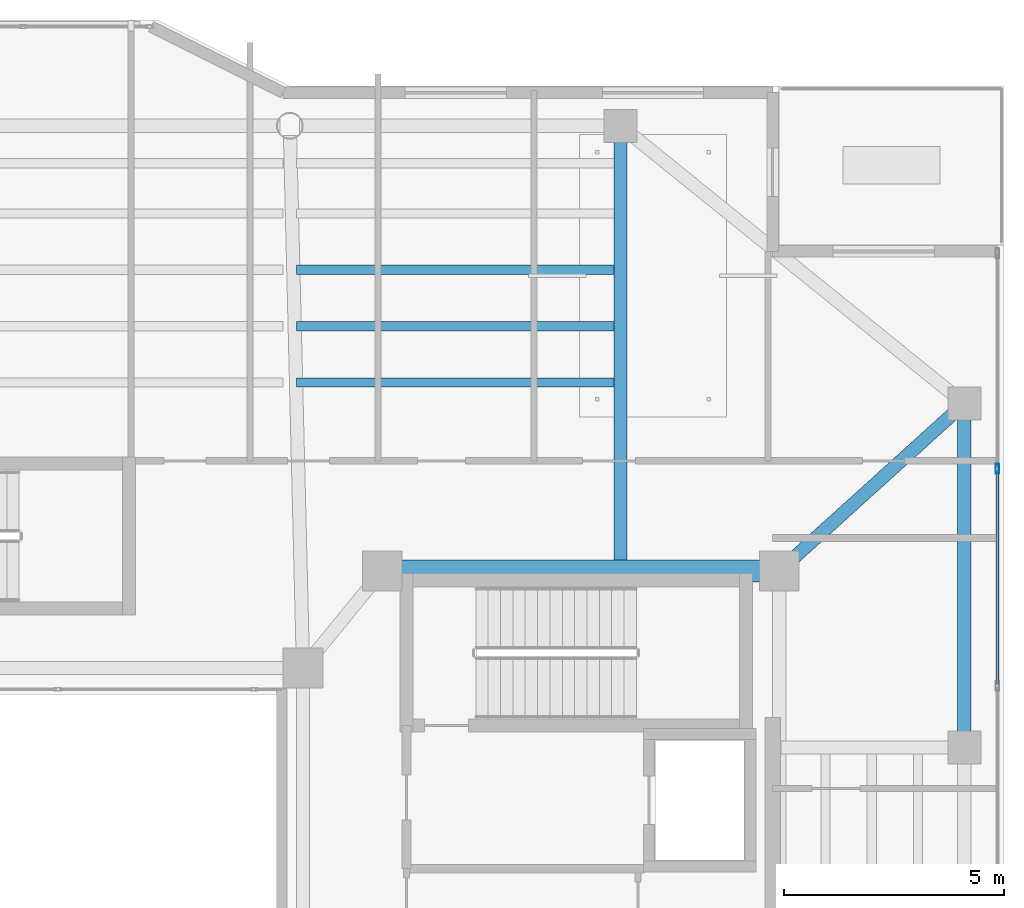
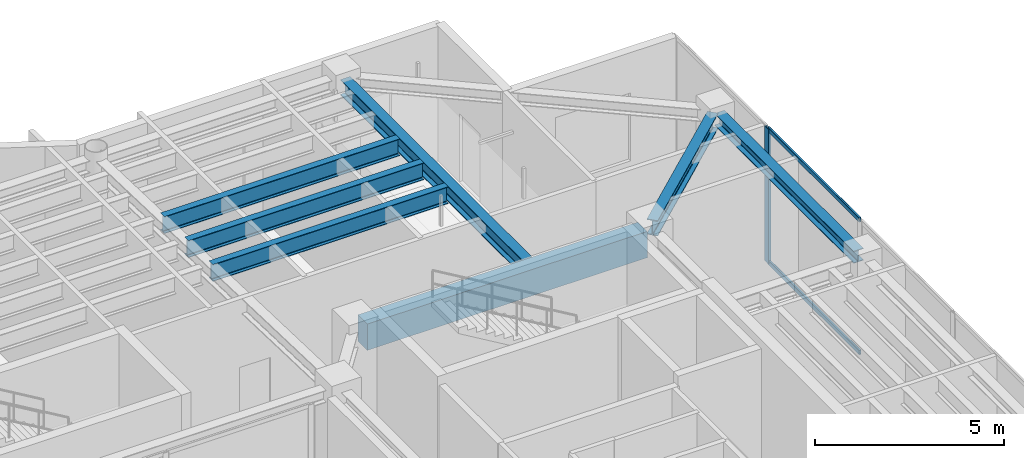
# One storey, part 20 of 34: 7 beams, 3 members, 1 element without a shape of its own.
"""IFC4 building model written with IfcOpenShell, lengths in metres."""

import ifcopenshell
import ifcopenshell.guid

model = None  # the IFC model being written
_history = None  # IfcOwnerHistory: only IFC2X3 demands one
_inside = {}  # id of a spatial element -> (the spatial element, [elements in it])
_under = {}  # id of a project, library or spatial element -> (it, [spatial elements below it])
_declared = {}  # id of a project -> (the project, [libraries it declares])
_typed = {}  # id of a type object -> (the type object, [elements of that type])
_made_of = {}  # id of a material, layer set ... -> (it, [elements and type objects made of it])


def new_model(schema):
    """Start an empty IFC model of exactly this schema.

    Asked for "IFC4X3", IfcOpenShell would pick the latest addendum, in which some entities
    have other attributes; the version numbers below select the first issue.
    IFC2X3 requires an IfcOwnerHistory on every rooted entity: one is made here for all.
    """
    global model, _history
    if schema == "IFC4X3":
        model = ifcopenshell.file(schema_version=(4, 3, 0, 0))
    else:
        model = ifcopenshell.file(schema=schema)
    _inside.clear()
    _under.clear()
    _declared.clear()
    _typed.clear()
    _made_of.clear()
    _history = None
    if model.schema == "IFC2X3":
        org = make("IfcOrganization", Name="unknown")
        user = make(
            "IfcPersonAndOrganization",
            ThePerson=make("IfcPerson", FamilyName="unknown"),
            TheOrganization=org,
        )
        app = make(
            "IfcApplication",
            ApplicationDeveloper=org,
            Version="unknown",
            ApplicationFullName="unknown",
            ApplicationIdentifier="unknown",
        )
        _history = make(
            "IfcOwnerHistory",
            OwningUser=user,
            OwningApplication=app,
            ChangeAction="ADDED",
            CreationDate=0,
        )
    return model


def make(cls, **values):
    """One entity of the class cls with the attributes given. An attribute that is None is left unset."""
    return model.create_entity(
        cls, **{name: value for name, value in values.items() if value is not None}
    )


def rooted(cls, **values):
    """An entity with a GlobalId (a new one), such as an element, a storey or a relation."""
    return make(cls, GlobalId=ifcopenshell.guid.new(), OwnerHistory=_history, **values)


def si_unit(unit_type, name, prefix=None):
    """IfcSIUnit, for example si_unit("LENGTHUNIT", "METRE", prefix="MILLI")."""
    return make("IfcSIUnit", UnitType=unit_type, Prefix=prefix, Name=name)


def assignment(units):
    """IfcUnitAssignment: the units of a project."""
    return None if units is None else make("IfcUnitAssignment", Units=units)


def point(xyz):
    """IfcCartesianPoint."""
    return None if xyz is None else make("IfcCartesianPoint", Coordinates=xyz)


def direction(xyz):
    """IfcDirection."""
    return None if xyz is None else make("IfcDirection", DirectionRatios=xyz)


def frame(location, z_axis=None, x_axis=None):
    """IfcAxis2Placement3D, a coordinate frame: its origin and axes. An axis left out is left unset."""
    return make(
        "IfcAxis2Placement3D",
        Location=point(location),
        Axis=direction(z_axis),
        RefDirection=direction(x_axis),
    )


def frame_2d(location, x_axis=None):
    """IfcAxis2Placement2D, a coordinate frame in the plane: its origin and x axis."""
    return make(
        "IfcAxis2Placement2D", Location=point(location), RefDirection=direction(x_axis)
    )


def origin():
    """The frame at (0, 0, 0) with its axes left unset."""
    return frame((0.0, 0.0, 0.0))


def origin_2d():
    """The frame at (0, 0) in the plane with its x axis left unset."""
    return frame_2d((0.0, 0.0))


def place(relative_to, where):
    """IfcLocalPlacement: puts the frame where relative to a parent placement (None: the world)."""
    return make(
        "IfcLocalPlacement", PlacementRelTo=relative_to, RelativePlacement=where
    )


def context(
    kind, dimensions, precision=None, world=None, true_north=None, identifier=None
):
    """IfcGeometricRepresentationContext, for example the 3D "Model" context."""
    return make(
        "IfcGeometricRepresentationContext",
        ContextIdentifier=identifier,
        ContextType=kind,
        CoordinateSpaceDimension=dimensions,
        Precision=precision,
        WorldCoordinateSystem=world,
        TrueNorth=true_north,
    )


def subcontext(parent, identifier, kind, view, scale=None):
    """IfcGeometricRepresentationSubContext, for example "Body" below "Model"."""
    return make(
        "IfcGeometricRepresentationSubContext",
        ContextIdentifier=identifier,
        ContextType=kind,
        ParentContext=parent,
        TargetScale=scale,
        TargetView=view,
    )


def project(units=None, contexts=None):
    """IfcProject with its units and contexts."""
    return rooted(
        "IfcProject",
        Name="project",
        RepresentationContexts=contexts,
        UnitsInContext=assignment(units),
    )


def spatial(cls, under=None, at=None, **own):
    """A site, building, storey or space (cls), placed at a placement, below another one or the project."""
    s = rooted(cls, ObjectPlacement=at, **own)
    if under is not None:
        _under.setdefault(under.id(), (under, []))[1].append(s)
    return s


def profile(cls, at=None, kind="AREA", **sizes):
    """A parametric profile (cls). Its sizes go by their IFC names, for example OverallWidth=200.0."""
    return make(cls, ProfileType=kind, Position=at, **sizes)


def rectangle(**sizes):
    """IfcRectangleProfileDef."""
    return profile("IfcRectangleProfileDef", **sizes)


def hollow_rectangle(**sizes):
    """IfcRectangleHollowProfileDef."""
    return profile("IfcRectangleHollowProfileDef", **sizes)


def i_section(**sizes):
    """IfcIShapeProfileDef."""
    return profile("IfcIShapeProfileDef", **sizes)


def extrude(swept, where, along, depth):
    """IfcExtrudedAreaSolid: the profile swept, set in the frame where, extruded along a direction by depth."""
    return make(
        "IfcExtrudedAreaSolid",
        SweptArea=swept,
        Position=where,
        ExtrudedDirection=direction(along),
        Depth=depth,
    )


def shape(context_of_items, identifier, shape_type, items):
    """IfcShapeRepresentation: the items that make up one representation, for example the "Body"."""
    return make(
        "IfcShapeRepresentation",
        ContextOfItems=context_of_items,
        RepresentationIdentifier=identifier,
        RepresentationType=shape_type,
        Items=items,
    )


def material(Name=None, Category=None):
    """IfcMaterial."""
    return make("IfcMaterial", Name=Name, Category=Category)


def layer(
    of_material, thickness, ventilated=None, Name=None, Category=None, Priority=None
):
    """IfcMaterialLayer: one layer of a wall or slab, of a material (None: an air gap)."""
    return make(
        "IfcMaterialLayer",
        Material=of_material,
        LayerThickness=thickness,
        IsVentilated=ventilated,
        Name=Name,
        Category=Category,
        Priority=Priority,
    )


def layer_set(layers, Name=None):
    """IfcMaterialLayerSet."""
    return make("IfcMaterialLayerSet", MaterialLayers=layers, LayerSetName=Name)


def material_profile(
    of_material, cross_section, Name=None, Category=None, Priority=None
):
    """IfcMaterialProfile: a cross section and its material."""
    return make(
        "IfcMaterialProfile",
        Name=Name,
        Material=of_material,
        Profile=cross_section,
        Priority=Priority,
        Category=Category,
    )


def profile_set(profiles, Name=None, composite=None):
    """IfcMaterialProfileSet."""
    return make(
        "IfcMaterialProfileSet",
        Name=Name,
        MaterialProfiles=profiles,
        CompositeProfile=composite,
    )


def made_of(thing, what):
    """Note that an element or type object is made of a material, layer set ...; save() writes the relation."""
    if what is not None:
        _made_of.setdefault(what.id(), (what, []))[1].append(thing)
    return thing


def type_object(cls, material=None, **own):
    """A type object (cls), such as IfcWallType, which elements share."""
    return made_of(rooted(cls, **own), material)


def element(
    cls,
    number,
    at=None,
    inside=None,
    cuts=None,
    type_object=None,
    material=None,
    context=None,
    identifier="Body",
    shape_type=None,
    held_by="IfcProductDefinitionShape",
    body=None,
    shapes=None,
    **own,
):
    """One element of the class cls, such as IfcWall. Its Tag is "e" and its number.

    at: its placement. inside: the storey or other place that contains it. cuts: it is an
    opening in that element (IfcRelVoidsElement). A single representation is given by context,
    identifier, shape_type and body (its items); several are given by shapes. held_by: the class
    of the entity that holds the representations. save() writes the other relations.
    """
    e = rooted(cls, Tag="e%d" % number, ObjectPlacement=at, **own)
    if body is not None:
        shapes = [shape(context, identifier, shape_type, body)]
    if shapes is not None:
        e.Representation = make(held_by, Representations=shapes)
    if inside is not None:
        _inside.setdefault(inside.id(), (inside, []))[1].append(e)
    if cuts is not None:
        rooted(
            "IfcRelVoidsElement", RelatingBuildingElement=cuts, RelatedOpeningElement=e
        )
    if type_object is not None:
        _typed.setdefault(type_object.id(), (type_object, []))[1].append(e)
    return made_of(e, material)


def aggregate(whole, parts):
    """IfcRelAggregates: a whole, such as a stair, and the parts it consists of."""
    return rooted("IfcRelAggregates", RelatingObject=whole, RelatedObjects=parts)


def save(model, path):
    """Write the relations noted so far, then the file.

    IfcRelAggregates (storeys below a building ...), IfcRelContainedInSpatialStructure (elements
    in a storey), IfcRelDefinesByType, IfcRelAssociatesMaterial and IfcRelDeclares: one each for
    every whole, place, type object, material and project.
    """
    for whole, parts in _under.values():
        aggregate(whole, parts)
    for where, things in _inside.values():
        rooted(
            "IfcRelContainedInSpatialStructure",
            RelatedElements=things,
            RelatingStructure=where,
        )
    for kind, things in _typed.values():
        rooted("IfcRelDefinesByType", RelatedObjects=things, RelatingType=kind)
    for what, things in _made_of.values():
        rooted("IfcRelAssociatesMaterial", RelatedObjects=things, RelatingMaterial=what)
    for by, libraries in _declared.values():
        rooted("IfcRelDeclares", RelatingContext=by, RelatedDefinitions=libraries)
    model.write(path)


model = new_model("IFC4")

# Units and contexts
model_context = context("Model", 3, precision=1e-05, world=origin(), true_north=direction((0.0, 1.0)))
body_context = subcontext(model_context, "Body", "Model", "MODEL_VIEW")
ifc_project = project(units=[si_unit("LENGTHUNIT", "METRE"), si_unit("AREAUNIT", "SQUARE_METRE"), si_unit("VOLUMEUNIT", "CUBIC_METRE"), si_unit("PLANEANGLEUNIT", "RADIAN"), si_unit("MASSUNIT", "GRAM", prefix="KILO")], contexts=[model_context])

# Site, building, storey
site_placement = place(None, origin())
site = spatial("IfcSite", under=ifc_project, at=site_placement, CompositionType="ELEMENT")
building_placement = place(site_placement, origin())
building = spatial("IfcBuilding", under=site, at=building_placement, Name="Tarnavaz Court Tower", CompositionType="ELEMENT")
storey_placement = place(building_placement, frame((0.0, 0.0, 231.75)))
storey = spatial("IfcBuildingStorey", under=building, at=storey_placement, Name="L63", CompositionType="ELEMENT", Elevation=231.75)

# Beams
ifc_material_1 = material(Name="Concrete C50/60", Category="concrete")
ifc_material_profile_1 = material_profile(ifc_material_1, rectangle(XDim=0.5, YDim=0.85009765625, at=origin_2d()), Name="RC 500X850")
ifc_profile_set_1 = profile_set([ifc_material_profile_1], Name="Concrete C50/60")
beam_type_1 = type_object("IfcBeamType", Name="BM-CB850", PredefinedType="LINTEL", material=ifc_profile_set_1)
beam_1_placement = place(storey_placement, frame((18.3798828125, 10.0, 3.925048828125), z_axis=(-1.0, 0.0, 0.0), x_axis=(0.0, -1.0, 0.0)))
element("IfcBeam", 1, at=beam_1_placement, inside=storey, type_object=beam_type_1, Name="L63 Beam IN-CE-NO-CE-NI", PredefinedType="LINTEL", context=body_context, shape_type="SweptSolid", body=[
    extrude(rectangle(XDim=0.5, YDim=0.85009765625, at=origin_2d()), origin(), (0.0, 0.0, 1.0), 8.559814453125),
])
ifc_material_2 = material(Name="Steel S355", Category="steel")
ifc_material_profile_2 = material_profile(ifc_material_2, i_section(OverallWidth=0.300048828125, OverallDepth=0.5, WebThickness=0.014404296875, FlangeThickness=0.028076171875, FilletRadius=0.027099609375, at=origin_2d()), Name="HEB 500")
ifc_profile_set_2 = profile_set([ifc_material_profile_2], Name="Steel S355")
beam_type_2 = type_object("IfcBeamType", Name="BM-G-HEB500", PredefinedType="USERDEFINED", material=ifc_profile_set_2)
beam_2_placement = place(storey_placement, frame((15.0, 10.0400390625, 4.10009765625), z_axis=(0.0, 1.0, 0.0), x_axis=(-1.0, 0.0, 0.0)))
element("IfcBeam", 2, at=beam_2_placement, inside=storey, type_object=beam_type_2, Name="L63 Beam RG-04", ObjectType="GIRDER", PredefinedType="USERDEFINED", context=body_context, shape_type="SweptSolid", body=[
    extrude(i_section(OverallWidth=0.300048828125, OverallDepth=0.5, WebThickness=0.014404296875, FlangeThickness=0.028076171875, FilletRadius=0.027099609375, at=origin_2d()), origin(), (0.0, 0.0, 1.0), 9.83984375),
])
beam_3_placement = place(storey_placement, frame((18.76318359375, 10.147705078125, 4.10009765625), z_axis=(0.741555708494, 0.670891296113, 0.0), x_axis=(-0.670891296113, 0.741555708494, 0.0)))
element("IfcBeam", 3, at=beam_3_placement, inside=storey, type_object=beam_type_2, Name="L63 Beam RG-12", ObjectType="GIRDER", PredefinedType="USERDEFINED", context=body_context, shape_type="SweptSolid", body=[
    extrude(i_section(OverallWidth=0.300048828125, OverallDepth=0.5, WebThickness=0.014404296875, FlangeThickness=0.028076171875, FilletRadius=0.027099609375, at=origin_2d()), origin(), (0.0, 0.0, 1.0), 5.223876953125),
])
ifc_material_profile_3 = material_profile(ifc_material_2, i_section(OverallWidth=0.2099609375, OverallDepth=0.550048828125, WebThickness=0.010986328125, FlangeThickness=0.01708984375, FilletRadius=0.02392578125, at=origin_2d()), Name="IPE 550")
ifc_profile_set_3 = profile_set([ifc_material_profile_3], Name="Steel S355")
beam_type_3 = type_object("IfcBeamType", Name="BM-J-IPE550", PredefinedType="JOIST", material=ifc_profile_set_3)
for number, where, z_axis, x_axis, name in (
    (4, (7.64990234375, 14.278076171875, 4.074951171875), (1.0, 0.0, 0.0), (0.0, 1.0, 0.0), "L63 Beam JN1-3"),
    (5, (7.64990234375, 15.555908203125, 4.074951171875), (1.0, 0.0, 0.0), (0.0, 1.0, 0.0), "L63 Beam JN2-3"),
    (6, (7.64990234375, 16.833984375, 4.074951171875), (1.0, 0.0, 0.0), (0.0, 1.0, 0.0), "L63 Beam JN3-3"),
):
    element("IfcBeam", number, at=place(storey_placement, frame(where, z_axis=z_axis, x_axis=x_axis)), inside=storey, type_object=beam_type_3, Name=name, PredefinedType="JOIST", context=body_context, shape_type="SweptSolid", body=[
        extrude(i_section(OverallWidth=0.2099609375, OverallDepth=0.550048828125, WebThickness=0.010986328125, FlangeThickness=0.01708984375, FilletRadius=0.02392578125, at=origin_2d()), origin(), (0.0, 0.0, 1.0), 7.2001953125),
    ])
ifc_material_profile_4 = material_profile(ifc_material_2, i_section(OverallWidth=0.300048828125, OverallDepth=0.389892578125, WebThickness=0.010986328125, FlangeThickness=0.01904296875, FilletRadius=0.027099609375, at=origin_2d()), Name="HEA 400")
ifc_profile_set_4 = profile_set([ifc_material_profile_4], Name="Steel S355")
beam_type_4 = type_object("IfcBeamType", Name="BM-SP-HEA400", PredefinedType="BEAM", material=ifc_profile_set_4)
beam_4_placement = place(storey_placement, frame((22.800048828125, 6.219970703125, 4.155029296875), z_axis=(0.0, 1.0, 0.0), x_axis=(-1.0, 0.0, 0.0)))
element("IfcBeam", 7, at=beam_4_placement, inside=storey, type_object=beam_type_4, Name="L63 Beam PR-PE-3-PE-4", PredefinedType="BEAM", context=body_context, shape_type="SweptSolid", body=[
    extrude(i_section(OverallWidth=0.300048828125, OverallDepth=0.389892578125, WebThickness=0.010986328125, FlangeThickness=0.01904296875, FilletRadius=0.027099609375, at=origin_2d()), origin(), (0.0, 0.0, 1.0), 7.360107421875),
])

# Curtain wall, members
ifc_material_3 = material(Name="Anodised Aluminium 6063-T6 and Solar Low-E Glazing", Category="aluminium")
ifc_layer = layer(ifc_material_3, 0.199951171875)
ifc_layer_set = layer_set([ifc_layer], Name="Anodised Aluminium 6063-T6 and Solar Low-E Glazing")
curtain_wall_type = type_object("IfcCurtainWallType", Name="CW-SYS-05", PredefinedType="NOTDEFINED", material=ifc_layer_set)
curtain_wall_placement = place(storey_placement, origin())
curtain_wall = element("IfcCurtainWall", 8, at=curtain_wall_placement, inside=storey, type_object=curtain_wall_type, Name="L63 Sky-Portal Curtain Wall 12", PredefinedType="NOTDEFINED")
ifc_material_4 = material(Name="Anodised Aluminium 6063-T6", Category="aluminium")
ifc_material_profile_5 = material_profile(ifc_material_4, hollow_rectangle(XDim=0.0849609375, YDim=0.219970703125, WallThickness=0.006103515625, InnerFilletRadius=0.006103515625, OuterFilletRadius=0.011962890625, at=origin_2d()), Name="ALU RHS 220X85X6")
ifc_profile_set_5 = profile_set([ifc_material_profile_5], Name="Anodised Aluminium 6063-T6")
member_type_1 = type_object("IfcMemberType", Name="CW-MUL-220", PredefinedType="MULLION", material=ifc_profile_set_5)
member_1_placement = place(storey_placement, frame((23.550048828125, 12.321533203125, 0.0), z_axis=(0.0, 0.0, 1.0), x_axis=(1.0, 0.0, 0.0)))
member_1 = element("IfcMember", 9, at=member_1_placement, type_object=member_type_1, Name="CW mullion 2", PredefinedType="MULLION", context=body_context, shape_type="SweptSolid", body=[
    extrude(hollow_rectangle(XDim=0.0849609375, YDim=0.219970703125, WallThickness=0.006103515625, InnerFilletRadius=0.006103515625, OuterFilletRadius=0.011962890625, at=origin_2d()), origin(), (0.0, 0.0, 1.0), 4.35009765625),
])
ifc_material_profile_6 = material_profile(ifc_material_4, hollow_rectangle(XDim=0.06494140625, YDim=0.139892578125, WallThickness=0.00390625, InnerFilletRadius=0.00390625, OuterFilletRadius=0.008056640625, at=origin_2d()), Name="ALU RHS 140X65X4")
ifc_profile_set_6 = profile_set([ifc_material_profile_6], Name="Anodised Aluminium 6063-T6")
member_type_2 = type_object("IfcMemberType", Name="CW-TRN-140", PredefinedType="USERDEFINED", material=ifc_profile_set_6)
member_2_placement = place(storey_placement, frame((23.550048828125, 12.27880859375, 0.032470703125), z_axis=(0.0, -1.0, 0.0), x_axis=(1.0, 0.0, 0.0)))
member_2 = element("IfcMember", 10, at=member_2_placement, type_object=member_type_2, Name="CW transom 2.1", ObjectType="TRANSOM", PredefinedType="USERDEFINED", context=body_context, shape_type="SweptSolid", body=[
    extrude(hollow_rectangle(XDim=0.06494140625, YDim=0.139892578125, WallThickness=0.00390625, InnerFilletRadius=0.00390625, OuterFilletRadius=0.008056640625, at=origin_2d()), origin(), (0.0, 0.0, 1.0), 4.843505859375),
])
member_3_placement = place(storey_placement, frame((23.550048828125, 12.27880859375, 4.3173828125), z_axis=(0.0, -1.0, 0.0), x_axis=(1.0, 0.0, 0.0)))
member_3 = element("IfcMember", 11, at=member_3_placement, type_object=member_type_2, Name="CW transom 2.2", ObjectType="TRANSOM", PredefinedType="USERDEFINED", context=body_context, shape_type="SweptSolid", body=[
    extrude(hollow_rectangle(XDim=0.06494140625, YDim=0.139892578125, WallThickness=0.00390625, InnerFilletRadius=0.00390625, OuterFilletRadius=0.008056640625, at=origin_2d()), origin(), (0.0, 0.0, 1.0), 4.843505859375),
])
aggregate(curtain_wall, [member_1, member_2, member_3])

save(model, "model.ifc")
